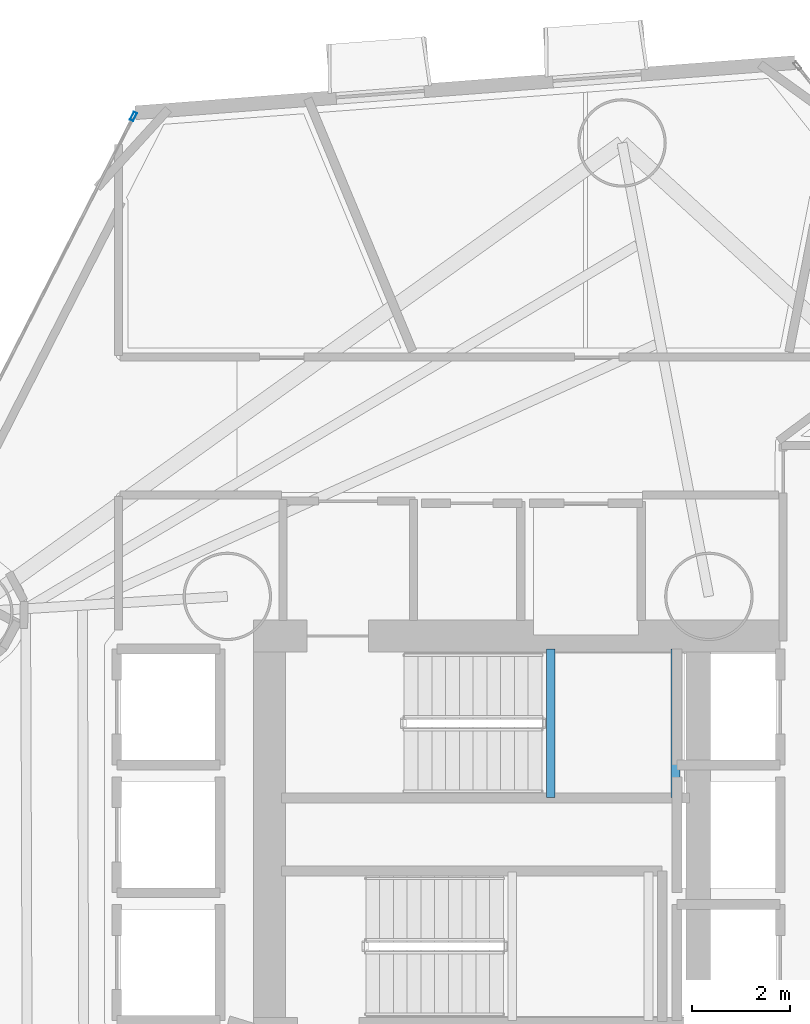
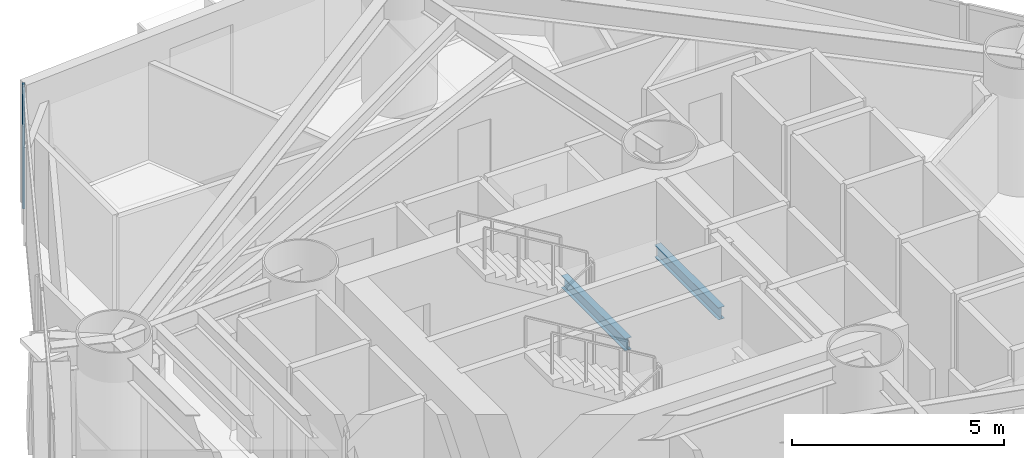
# One storey, part 9 of 23: 2 beams, 1 member, 1 element without a shape of its own.
"""IFC4 building model written with IfcOpenShell, lengths in metres."""

from ifc_helpers import new_model, si_unit, direction, frame, origin, origin_2d, place, context, subcontext, project, spatial, hollow_rectangle, i_section, extrude, material, layer, layer_set, material_profile, profile_set, type_object, element, aggregate, save


model = new_model("IFC4")

# Units and contexts
model_context = context("Model", 3, precision=1e-05, world=origin(), true_north=direction((0.0, 1.0)))
body_context = subcontext(model_context, "Body", "Model", "MODEL_VIEW")
ifc_project = project(units=[si_unit("LENGTHUNIT", "METRE"), si_unit("AREAUNIT", "SQUARE_METRE"), si_unit("VOLUMEUNIT", "CUBIC_METRE"), si_unit("PLANEANGLEUNIT", "RADIAN"), si_unit("MASSUNIT", "GRAM", prefix="KILO")], contexts=[model_context])

# Site, building, storey
site_placement = place(None, origin())
site = spatial("IfcSite", under=ifc_project, at=site_placement, CompositionType="ELEMENT")
building_placement = place(site_placement, origin())
building = spatial("IfcBuilding", under=site, at=building_placement, Name="Qianvela Tower", CompositionType="ELEMENT")
storey_placement = place(building_placement, frame((0.0, 0.0, 29.39990234375)))
storey = spatial("IfcBuildingStorey", under=building, at=storey_placement, Name="L06", CompositionType="ELEMENT", Elevation=29.39990234375)

# Beams
ifc_material_1 = material(Name="Steel Q355B", Category="steel")
ifc_material_profile_1 = material_profile(ifc_material_1, i_section(OverallWidth=0.175048828125, OverallDepth=0.35009765625, WebThickness=0.007080078125, FlangeThickness=0.010986328125, at=origin_2d()), Name="HN350x175x7x11")
ifc_profile_set_1 = profile_set([ifc_material_profile_1], Name="Steel Q355B")
beam_type = type_object("IfcBeamType", Name="BM-HN350-JOIST", PredefinedType="JOIST", material=ifc_profile_set_1)
for number, where, z_axis, x_axis, name in (
    (1, (35.179931640625, 29.4599609375, 1.47509765625), (0.0, 1.0, 0.0), (-1.0, 0.0, 0.0), "L06 Stair ST-1 Landing Support Beam 1.1"),
    (2, (37.719970703125, 29.4599609375, 1.47509765625), (0.0, 1.0, 0.0), (-1.0, 0.0, 0.0), "L06 Stair ST-1 Landing Support Beam 1.2"),
):
    element("IfcBeam", number, at=place(storey_placement, frame(where, z_axis=z_axis, x_axis=x_axis)), inside=storey, type_object=beam_type, Name=name, PredefinedType="JOIST", context=body_context, shape_type="SweptSolid", body=[
        extrude(i_section(OverallWidth=0.175048828125, OverallDepth=0.35009765625, WebThickness=0.007080078125, FlangeThickness=0.010986328125, at=origin_2d()), origin(), (0.0, 0.0, 1.0), 3.02001953125),
    ])

# Curtain wall, member
ifc_material_2 = material(Name="Anodised Architectural Aluminium and Low-E Glass", Category="aluminium")
ifc_layer = layer(ifc_material_2, 0.179931640625)
ifc_layer_set = layer_set([ifc_layer], Name="Anodised Architectural Aluminium and Low-E Glass")
curtain_wall_type = type_object("IfcCurtainWallType", Name="CW-COLIV-Z12", PredefinedType="USERDEFINED", material=ifc_layer_set)
curtain_wall_placement = place(storey_placement, origin())
curtain_wall = element("IfcCurtainWall", 3, at=curtain_wall_placement, inside=storey, type_object=curtain_wall_type, Name="L06 CW-COLIV-Z12 Curtain Wall 04A", ObjectType="CURTAIN_WALL_SYSTEM", PredefinedType="USERDEFINED")
ifc_material_3 = material(Name="Anodised Architectural Aluminium 6063-T6", Category="aluminium")
ifc_material_profile_2 = material_profile(ifc_material_3, hollow_rectangle(XDim=0.070068359375, YDim=0.179931640625, WallThickness=0.0048828125, at=origin_2d()), Name="ALU-MULL-70x180")
ifc_profile_set_2 = profile_set([ifc_material_profile_2], Name="Anodised Architectural Aluminium 6063-T6")
member_type = type_object("IfcMemberType", Name="CW-COLIV-Z12-MULL", PredefinedType="MULLION", material=ifc_profile_set_2)
member_placement = place(storey_placement, frame((26.69091796875, 43.317626953125, 0.0), z_axis=(0.0, 0.0, 1.0), x_axis=(0.890687881398, -0.454615329626, 0.0)))
member = element("IfcMember", 4, at=member_placement, type_object=member_type, Name="CW-3 mullion 1", PredefinedType="MULLION", context=body_context, shape_type="SweptSolid", body=[
    extrude(hollow_rectangle(XDim=0.070068359375, YDim=0.179931640625, WallThickness=0.0048828125, at=origin_2d()), origin(), (0.0, 0.0, 1.0), 3.52001953125),
])
aggregate(curtain_wall, [member])

save(model, "model.ifc")
